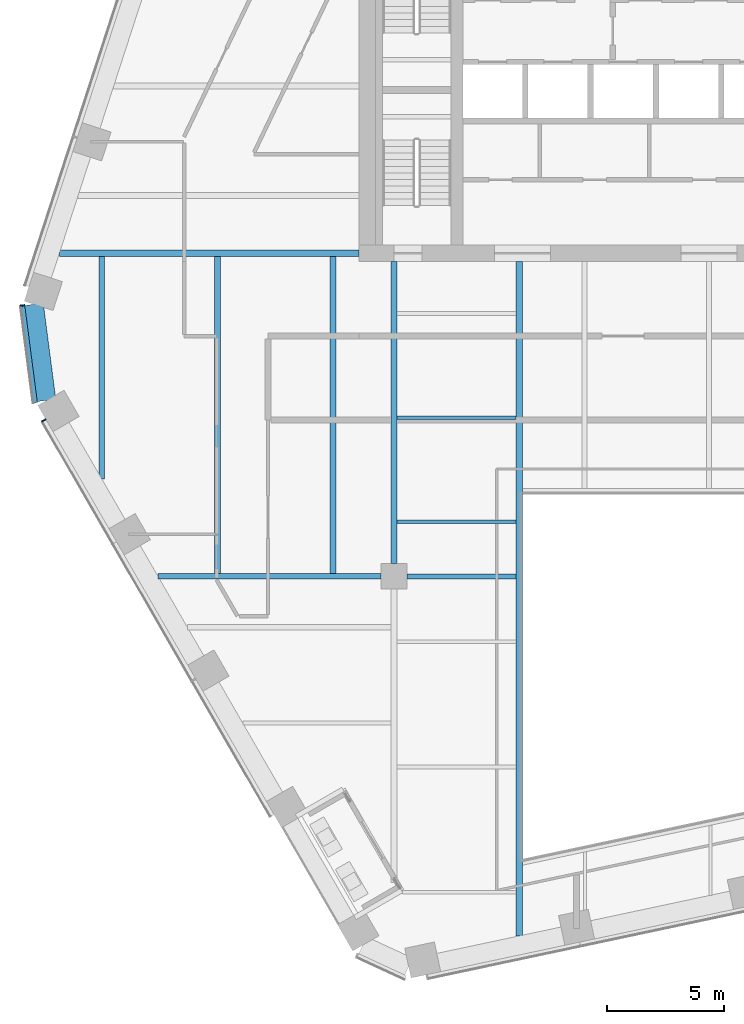
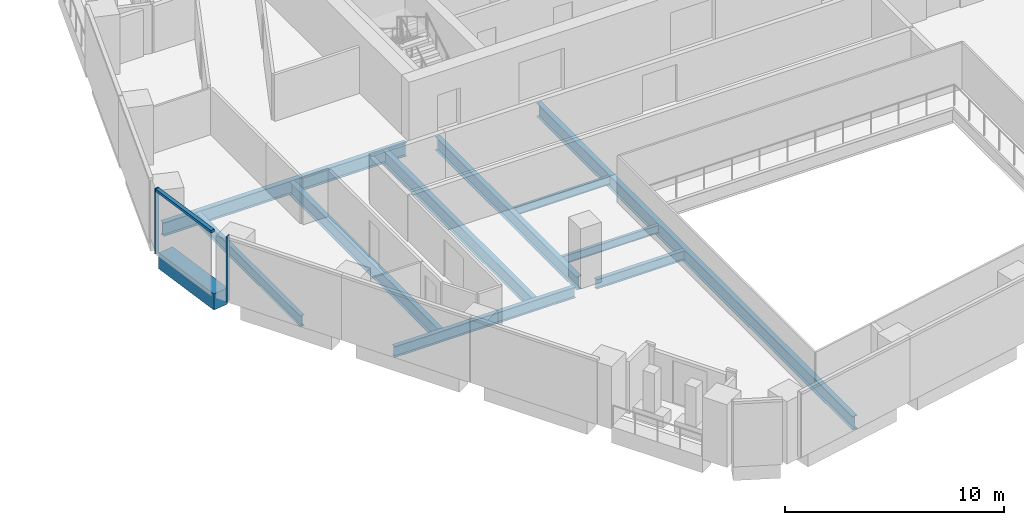
# One storey, part 4 of 26: 11 beams, 3 members, 2 elements without a shape of their own.
"""IFC4 building model written with IfcOpenShell, lengths in metres."""

from ifc_helpers import new_model, si_unit, direction, frame, origin, origin_2d, place, context, subcontext, project, spatial, rectangle, i_section, extrude, material, layer, layer_set, material_profile, profile_set, type_object, element, aggregate, save


model = new_model("IFC4")

# Units and contexts
model_context = context("Model", 3, precision=1e-05, world=origin(), true_north=direction((0.0, 1.0)))
body_context = subcontext(model_context, "Body", "Model", "MODEL_VIEW")
ifc_project = project(units=[si_unit("LENGTHUNIT", "METRE"), si_unit("AREAUNIT", "SQUARE_METRE"), si_unit("VOLUMEUNIT", "CUBIC_METRE"), si_unit("PLANEANGLEUNIT", "RADIAN"), si_unit("MASSUNIT", "GRAM", prefix="KILO")], contexts=[model_context])

# Site, building, storey
site_placement = place(None, origin())
site = spatial("IfcSite", under=ifc_project, at=site_placement, CompositionType="ELEMENT")
building_placement = place(site_placement, origin())
building = spatial("IfcBuilding", under=site, at=building_placement, Name="Isthmus Gate Tower", CompositionType="ELEMENT")
storey_placement = place(building_placement, frame((0.0, 0.0, 203.64990234375)))
storey = spatial("IfcBuildingStorey", under=building, at=storey_placement, Name="L51", CompositionType="ELEMENT", Elevation=203.64990234375)

# Curtain wall, member
ifc_material_1 = material(Name="Aluminium, pale champagne anodised", Category="aluminium")
ifc_layer = layer(ifc_material_1, 0.199951171875)
ifc_layer_set = layer_set([ifc_layer], Name="CW-1 UNITISED CURTAIN WALL 200 DEEP")
curtain_wall_type = type_object("IfcCurtainWallType", Name="CW-1 UNITISED CURTAIN WALL 200 DEEP", PredefinedType="NOTDEFINED", material=ifc_layer_set)
curtain_wall_1_placement = place(storey_placement, origin())
curtain_wall_1 = element("IfcCurtainWall", 1, at=curtain_wall_1_placement, inside=storey, type_object=curtain_wall_type, Name="CW-1 NW-SW L51", PredefinedType="NOTDEFINED")
ifc_material_2 = material(Name="Aluminium, pale champagne anodised", Category="aluminium")
ifc_material_profile_1 = material_profile(ifc_material_2, rectangle(XDim=0.06005859375, YDim=0.199951171875, at=origin_2d()), Name="60x200")
ifc_profile_set_1 = profile_set([ifc_material_profile_1], Name="Aluminium, pale champagne anodised")
member_type_1 = type_object("IfcMemberType", Name="CW-1 MULLION 60 X 200", PredefinedType="MULLION", material=ifc_profile_set_1)
member_1_placement = place(storey_placement, frame((-29.42724609375, -1.88525390625, 0.0), z_axis=(0.0, 0.0, 1.0), x_axis=(0.129164534, -0.991623175988, 0.0)))
member_1 = element("IfcMember", 2, at=member_1_placement, type_object=member_type_1, Name="CW-1 mullion", PredefinedType="MULLION", context=body_context, shape_type="SweptSolid", body=[
    extrude(rectangle(XDim=0.06005859375, YDim=0.199951171875, at=origin_2d()), origin(), (0.0, 0.0, 1.0), 3.650146484375),
])

curtain_wall_2_placement = place(storey_placement, origin())
curtain_wall_2 = element("IfcCurtainWall", 3, at=curtain_wall_2_placement, inside=storey, type_object=curtain_wall_type, Name="CW-1 SW L51", PredefinedType="NOTDEFINED")
member_2_placement = place(storey_placement, frame((-28.5146484375, -6.811279296875, 0.0), z_axis=(0.0, 0.0, 1.0), x_axis=(0.5, -0.866025403784, 0.0)))
member_2 = element("IfcMember", 4, at=member_2_placement, type_object=member_type_1, Name="CW-1 mullion", PredefinedType="MULLION", context=body_context, shape_type="SweptSolid", body=[
    extrude(rectangle(XDim=0.06005859375, YDim=0.199951171875, at=origin_2d()), origin(), (0.0, 0.0, 1.0), 3.650146484375),
])
aggregate(curtain_wall_2, [member_2])

# Member
ifc_material_3 = material(Name="Aluminium, pale champagne anodised", Category="aluminium")
ifc_material_profile_2 = material_profile(ifc_material_3, rectangle(XDim=0.199951171875, YDim=0.139892578125, at=origin_2d()), Name="200x140")
ifc_profile_set_2 = profile_set([ifc_material_profile_2], Name="Aluminium, pale champagne anodised")
member_type_2 = type_object("IfcMemberType", Name="CW-1 TRANSOM 200 X 140", PredefinedType="USERDEFINED", material=ifc_profile_set_2)
member_3_placement = place(storey_placement, frame((-29.42333984375, -1.9150390625, 3.580078125), z_axis=(0.129149481977, -0.991625136483, 0.0), x_axis=(0.991625136483, 0.129149481977, 0.0)))
member_3 = element("IfcMember", 5, at=member_3_placement, type_object=member_type_2, Name="CW-1 transom", ObjectType="TRANSOM", PredefinedType="USERDEFINED", context=body_context, shape_type="SweptSolid", body=[
    extrude(rectangle(XDim=0.199951171875, YDim=0.139892578125, at=origin_2d()), origin(), (0.0, 0.0, 1.0), 4.181396484375),
])

aggregate(curtain_wall_1, [member_1, member_3])

# Beams
ifc_material_4 = material(Name="Concrete f'c 60 MPa", Category="concrete")
ifc_material_profile_3 = material_profile(ifc_material_4, rectangle(XDim=0.800048828125, YDim=0.89990234375, at=origin_2d()), Name="RC 800X900")
ifc_profile_set_3 = profile_set([ifc_material_profile_3], Name="Concrete f'c 60 MPa")
beam_type_1 = type_object("IfcBeamType", Name="RC SPANDREL 800 X 900", PredefinedType="SPANDREL", material=ifc_profile_set_3)
beam_1_placement = place(storey_placement, frame((-28.392822265625, -5.955810546875, -0.449951171875), z_axis=(-0.129170777359, 0.991622362735, 0.0), x_axis=(-0.991622362735, -0.129170777359, 0.0)))
element("IfcBeam", 6, at=beam_1_placement, inside=storey, type_object=beam_type_1, Name="str-spandrel-L51-20", PredefinedType="SPANDREL", context=body_context, shape_type="SweptSolid", body=[
    extrude(rectangle(XDim=0.800048828125, YDim=0.89990234375, at=origin_2d()), origin(), (0.0, 0.0, 1.0), 4.15234375),
])
ifc_material_5 = material(Name="Structural steel ASTM A992 Gr 50", Category="steel")
ifc_material_profile_4 = material_profile(ifc_material_5, i_section(OverallWidth=0.15234375, OverallDepth=0.45068359375, WebThickness=0.0078125, FlangeThickness=0.010986328125, at=origin_2d()), Name="W18X35")
ifc_profile_set_4 = profile_set([ifc_material_profile_4], Name="Structural steel ASTM A992 Gr 50")
beam_type_2 = type_object("IfcBeamType", Name="STEEL FLOOR BEAM W18X35", PredefinedType="JOIST", material=ifc_profile_set_4)
for number, where, z_axis, x_axis, name in (
    (7, (-13.3681640625, -11.16259765625, -0.375244140625), (1.0, 0.0, 0.0), (0.0, 1.0, 0.0), "str-beam-L51-07-00"),
    (8, (-13.3681640625, -6.697509765625, -0.375244140625), (1.0, 0.0, 0.0), (0.0, 1.0, 0.0), "str-beam-L51-07-01"),
):
    element("IfcBeam", number, at=place(storey_placement, frame(where, z_axis=z_axis, x_axis=x_axis)), inside=storey, type_object=beam_type_2, Name=name, PredefinedType="JOIST", context=body_context, shape_type="SweptSolid", body=[
        extrude(i_section(OverallWidth=0.15234375, OverallDepth=0.45068359375, WebThickness=0.0078125, FlangeThickness=0.010986328125, at=origin_2d()), origin(), (0.0, 0.0, 1.0), 5.1015625),
    ])
ifc_material_6 = material(Name="Structural steel ASTM A992 Gr 50", Category="steel")
ifc_material_profile_5 = material_profile(ifc_material_6, i_section(OverallWidth=0.228515625, OverallDepth=0.603271484375, WebThickness=0.010986328125, FlangeThickness=0.014404296875, at=origin_2d()), Name="W24X68")
ifc_profile_set_5 = profile_set([ifc_material_profile_5], Name="Structural steel ASTM A992 Gr 50")
beam_type_3 = type_object("IfcBeamType", Name="STEEL FLOOR BEAM W24X68", PredefinedType="JOIST", material=ifc_profile_set_5)
beam_2_placement = place(storey_placement, frame((-26.028564453125, -9.317138671875, -0.451416015625), z_axis=(0.0, 1.0, 0.0), x_axis=(-1.0, 0.0, 0.0)))
element("IfcBeam", 9, at=beam_2_placement, inside=storey, type_object=beam_type_3, Name="str-beam-L51-01-00", PredefinedType="JOIST", context=body_context, shape_type="SweptSolid", body=[
    extrude(i_section(OverallWidth=0.228515625, OverallDepth=0.603271484375, WebThickness=0.010986328125, FlangeThickness=0.014404296875, at=origin_2d()), origin(), (0.0, 0.0, 1.0), 9.535400390625),
])
ifc_material_7 = material(Name="Structural steel ASTM A992 Gr 50", Category="steel")
ifc_material_profile_6 = material_profile(ifc_material_7, i_section(OverallWidth=0.263427734375, OverallDepth=0.749267578125, WebThickness=0.0126953125, FlangeThickness=0.015869140625, at=origin_2d()), Name="W30X90")
ifc_profile_set_6 = profile_set([ifc_material_profile_6], Name="Structural steel ASTM A992 Gr 50")
beam_type_4 = type_object("IfcBeamType", Name="STEEL FLOOR BEAM W30X90", PredefinedType="JOIST", material=ifc_profile_set_6)
for number, where, z_axis, x_axis, name in (
    (10, (-21.06982421875, -13.3857421875, -0.524658203125), (0.0, 1.0, 0.0), (-1.0, 0.0, 0.0), "str-beam-L51-01-01"),
    (11, (-16.111083984375, -13.3857421875, -0.524658203125), (0.0, 1.0, 0.0), (-1.0, 0.0, 0.0), "str-beam-L51-01-02"),
):
    element("IfcBeam", number, at=place(storey_placement, frame(where, z_axis=z_axis, x_axis=x_axis)), inside=storey, type_object=beam_type_4, Name=name, PredefinedType="JOIST", context=body_context, shape_type="SweptSolid", body=[
        extrude(i_section(OverallWidth=0.263427734375, OverallDepth=0.749267578125, WebThickness=0.0126953125, FlangeThickness=0.015869140625, at=origin_2d()), origin(), (0.0, 0.0, 1.0), 13.60400390625),
    ])
ifc_material_8 = material(Name="Structural steel ASTM A992 Gr 50", Category="steel")
ifc_material_profile_7 = material_profile(ifc_material_8, i_section(OverallWidth=0.20947265625, OverallDepth=0.533447265625, WebThickness=0.009521484375, FlangeThickness=0.015869140625, at=origin_2d()), Name="W21X62")
ifc_profile_set_7 = profile_set([ifc_material_profile_7], Name="Structural steel ASTM A992 Gr 50")
beam_type_5 = type_object("IfcBeamType", Name="STEEL GIRDER W21X62", PredefinedType="BEAM", material=ifc_profile_set_7)
beam_3_placement = place(storey_placement, frame((-12.949951171875, -13.5, -0.41650390625), z_axis=(1.0, 0.0, 0.0), x_axis=(0.0, 1.0, 0.0)))
element("IfcBeam", 12, at=beam_3_placement, inside=storey, type_object=beam_type_5, Name="str-girder-L51-02", PredefinedType="BEAM", context=body_context, shape_type="SweptSolid", body=[
    extrude(i_section(OverallWidth=0.20947265625, OverallDepth=0.533447265625, WebThickness=0.009521484375, FlangeThickness=0.015869140625, at=origin_2d()), origin(), (0.0, 0.0, 1.0), 4.683349609375),
])
ifc_material_9 = material(Name="Structural steel ASTM A992 Gr 50", Category="steel")
ifc_material_profile_8 = material_profile(ifc_material_9, i_section(OverallWidth=0.228515625, OverallDepth=0.6064453125, WebThickness=0.010986328125, FlangeThickness=0.017578125, at=origin_2d()), Name="W24X76")
ifc_profile_set_8 = profile_set([ifc_material_profile_8], Name="Structural steel ASTM A992 Gr 50")
beam_type_6 = type_object("IfcBeamType", Name="STEEL GIRDER W24X76", PredefinedType="BEAM", material=ifc_profile_set_8)
beam_4_placement = place(storey_placement, frame((-23.613525390625, -13.5, -0.453125), z_axis=(1.0, 0.0, 0.0), x_axis=(0.0, 1.0, 0.0)))
element("IfcBeam", 13, at=beam_4_placement, inside=storey, type_object=beam_type_6, Name="str-girder-L51-01", PredefinedType="BEAM", context=body_context, shape_type="SweptSolid", body=[
    extrude(i_section(OverallWidth=0.228515625, OverallDepth=0.6064453125, WebThickness=0.010986328125, FlangeThickness=0.017578125, at=origin_2d()), origin(), (0.0, 0.0, 1.0), 9.5634765625),
])
ifc_material_10 = material(Name="Structural steel ASTM A992 Gr 50", Category="steel")
ifc_material_profile_9 = material_profile(ifc_material_10, i_section(OverallWidth=0.263427734375, OverallDepth=0.749267578125, WebThickness=0.0126953125, FlangeThickness=0.015869140625, at=origin_2d()), Name="W30X90")
ifc_profile_set_9 = profile_set([ifc_material_profile_9], Name="Structural steel ASTM A992 Gr 50")
beam_type_7 = type_object("IfcBeamType", Name="STEEL GIRDER W30X90", PredefinedType="BEAM", material=ifc_profile_set_9)
beam_5_placement = place(storey_placement, frame((-13.5, -12.949951171875, -0.524658203125), z_axis=(0.0, 1.0, 0.0), x_axis=(-1.0, 0.0, 0.0)))
element("IfcBeam", 14, at=beam_5_placement, inside=storey, type_object=beam_type_7, Name="str-girder-L51-08", PredefinedType="BEAM", context=body_context, shape_type="SweptSolid", body=[
    extrude(i_section(OverallWidth=0.263427734375, OverallDepth=0.749267578125, WebThickness=0.0126953125, FlangeThickness=0.015869140625, at=origin_2d()), origin(), (0.0, 0.0, 1.0), 12.949951171875),
])
beam_6_placement = place(storey_placement, frame((-15.0, 0.35009765625, -0.524658203125), z_axis=(-1.0, 0.0, 0.0), x_axis=(0.0, -1.0, 0.0)))
element("IfcBeam", 15, at=beam_6_placement, inside=storey, type_object=beam_type_7, Name="str-girder-L51-13", PredefinedType="BEAM", context=body_context, shape_type="SweptSolid", body=[
    extrude(i_section(OverallWidth=0.263427734375, OverallDepth=0.749267578125, WebThickness=0.0126953125, FlangeThickness=0.015869140625, at=origin_2d()), origin(), (0.0, 0.0, 1.0), 12.8427734375),
])
ifc_material_11 = material(Name="Structural steel ASTM A992 Gr 50", Category="steel")
ifc_material_profile_10 = material_profile(ifc_material_11, i_section(OverallWidth=0.2666015625, OverallDepth=0.7587890625, WebThickness=0.014404296875, FlangeThickness=0.01904296875, at=origin_2d()), Name="W30X108")
ifc_profile_set_10 = profile_set([ifc_material_profile_10], Name="Structural steel ASTM A992 Gr 50")
beam_type_8 = type_object("IfcBeamType", Name="STEEL TRIMMER W30X108", PredefinedType="BEAM", material=ifc_profile_set_10)
beam_7_placement = place(storey_placement, frame((-8.13330078125, 0.0, -0.529296875), z_axis=(0.0, -1.0, 0.0), x_axis=(1.0, 0.0, 0.0)))
element("IfcBeam", 16, at=beam_7_placement, inside=storey, type_object=beam_type_8, Name="str-trimmer-L51-02", PredefinedType="BEAM", context=body_context, shape_type="SweptSolid", body=[
    extrude(i_section(OverallWidth=0.2666015625, OverallDepth=0.7587890625, WebThickness=0.014404296875, FlangeThickness=0.01904296875, at=origin_2d()), origin(), (0.0, 0.0, 1.0), 28.910888671875),
])

save(model, "model.ifc")
